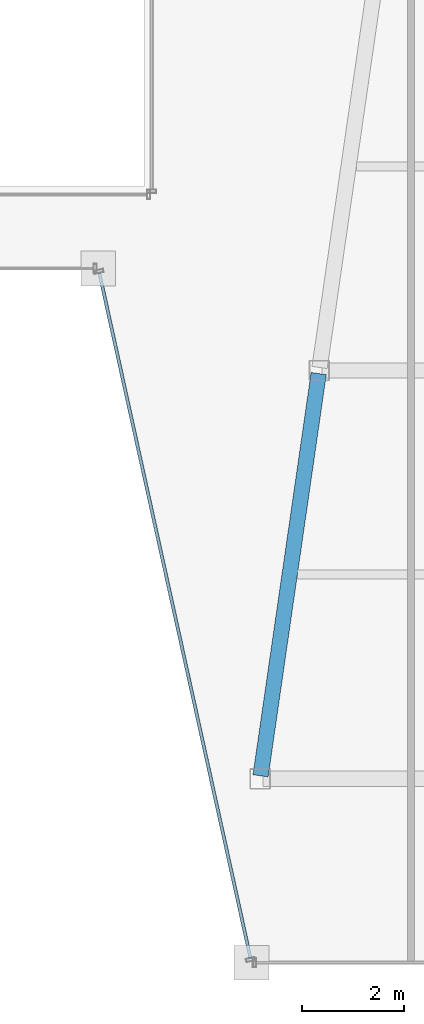
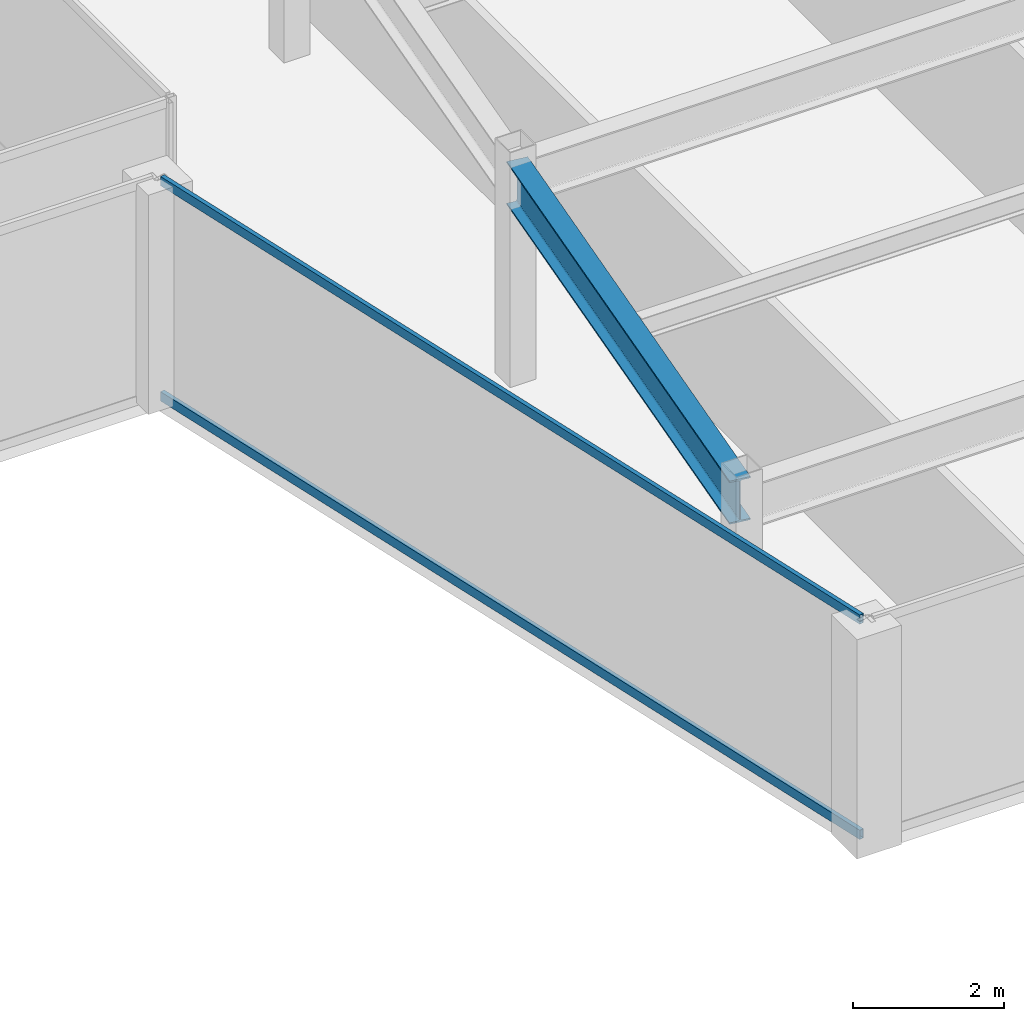
# One storey, part 17 of 36: 2 members, 1 beam, 1 element without a shape of its own.
"""IFC4 building model written with IfcOpenShell, lengths in metres."""

from ifc_helpers import new_model, si_unit, direction, frame, origin, origin_2d, place, context, subcontext, project, spatial, hollow_rectangle, i_section, extrude, material, material_profile, profile_set, type_object, element, aggregate, save


model = new_model("IFC4")

# Units and contexts
model_context = context("Model", 3, precision=1e-05, world=origin(), true_north=direction((0.0, 1.0)))
body_context = subcontext(model_context, "Body", "Model", "MODEL_VIEW")
ifc_project = project(units=[si_unit("LENGTHUNIT", "METRE"), si_unit("AREAUNIT", "SQUARE_METRE"), si_unit("VOLUMEUNIT", "CUBIC_METRE"), si_unit("PLANEANGLEUNIT", "RADIAN"), si_unit("MASSUNIT", "GRAM", prefix="KILO")], contexts=[model_context])

# Site, building, storey
site_placement = place(None, origin())
site = spatial("IfcSite", under=ifc_project, at=site_placement, CompositionType="ELEMENT")
building_placement = place(site_placement, origin())
building = spatial("IfcBuilding", under=site, at=building_placement, Name="Saevonmaru Cultural Tower", CompositionType="ELEMENT")
storey_placement = place(building_placement, frame((0.0, 0.0, 186.60009765625)))
storey = spatial("IfcBuildingStorey", under=building, at=storey_placement, Name="L42", CompositionType="ELEMENT", Elevation=186.60009765625)

# Beam
ifc_material_1 = material(Name="Steel SM355", Category="steel")
ifc_material_profile_1 = material_profile(ifc_material_1, i_section(OverallWidth=0.300048828125, OverallDepth=0.699951171875, WebThickness=0.012939453125, FlangeThickness=0.02392578125, FilletRadius=0.02587890625, at=origin_2d()), Name="H-700x300x13x24")
ifc_profile_set_1 = profile_set([ifc_material_profile_1], Name="Steel SM355")
beam_type = type_object("IfcBeamType", Name="BM-G-H700", PredefinedType="BEAM", material=ifc_profile_set_1)
beam_placement = place(storey_placement, frame((38.08056640625, 16.059326171875, 3.199951171875), z_axis=(0.143022161059, 0.989719486241, 0.0), x_axis=(-0.989719486241, 0.143022161059, 0.0)))
element("IfcBeam", 1, at=beam_placement, inside=storey, type_object=beam_type, Name="L42 East Atrium Girder 1", PredefinedType="BEAM", context=body_context, shape_type="SweptSolid", body=[
    extrude(i_section(OverallWidth=0.300048828125, OverallDepth=0.699951171875, WebThickness=0.012939453125, FlangeThickness=0.02392578125, FilletRadius=0.02587890625, at=origin_2d()), origin(), (0.0, 0.0, 1.0), 7.963134765625),
])

# Curtain wall, members
ifc_material_2 = material(Name="Satin Bronze Anodised Aluminium", Category="aluminium")
curtain_wall_type = type_object("IfcCurtainWallType", Name="CW-TYP-B", PredefinedType="NOTDEFINED", material=ifc_material_2)
curtain_wall_placement = place(storey_placement, origin())
curtain_wall = element("IfcCurtainWall", 2, at=curtain_wall_placement, inside=storey, type_object=curtain_wall_type, Name="L42 Unitised Curtain Wall E5", PredefinedType="NOTDEFINED")
ifc_material_profile_2 = material_profile(ifc_material_2, hollow_rectangle(XDim=0.06494140625, YDim=0.14990234375, WallThickness=0.00390625, at=origin_2d()), Name="ALU-TRAN-150x65x4")
ifc_profile_set_2 = profile_set([ifc_material_profile_2], Name="Satin Bronze Anodised Aluminium")
member_type = type_object("IfcMemberType", Name="TR-CW-150x65", PredefinedType="USERDEFINED", material=ifc_profile_set_2)
member_1_placement = place(storey_placement, frame((34.922119140625, 25.90966796875, 0.032470703125), z_axis=(0.21541214732, -0.976523223885, 0.0), x_axis=(0.976523223885, 0.21541214732, 0.0)))
member_1 = element("IfcMember", 3, at=member_1_placement, type_object=member_type, Name="CW-TW-L42-E5 transom 1.1", ObjectType="TRANSOM", PredefinedType="USERDEFINED", context=body_context, shape_type="SweptSolid", body=[
    extrude(hollow_rectangle(XDim=0.06494140625, YDim=0.14990234375, WallThickness=0.00390625, at=origin_2d()), origin(), (0.0, 0.0, 1.0), 13.741943359375),
])
member_2_placement = place(storey_placement, frame((34.922119140625, 25.90966796875, 3.517333984375), z_axis=(0.21541214732, -0.976523223885, 0.0), x_axis=(0.976523223885, 0.21541214732, 0.0)))
member_2 = element("IfcMember", 4, at=member_2_placement, type_object=member_type, Name="CW-TW-L42-E5 transom 1.2", ObjectType="TRANSOM", PredefinedType="USERDEFINED", context=body_context, shape_type="SweptSolid", body=[
    extrude(hollow_rectangle(XDim=0.06494140625, YDim=0.14990234375, WallThickness=0.00390625, at=origin_2d()), origin(), (0.0, 0.0, 1.0), 13.741943359375),
])
aggregate(curtain_wall, [member_1, member_2])

save(model, "model.ifc")
